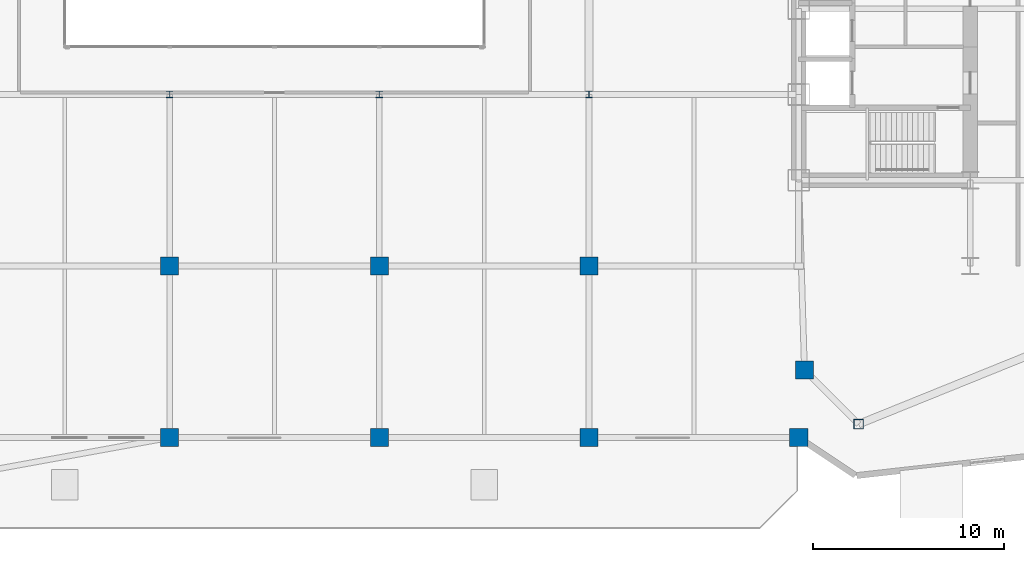
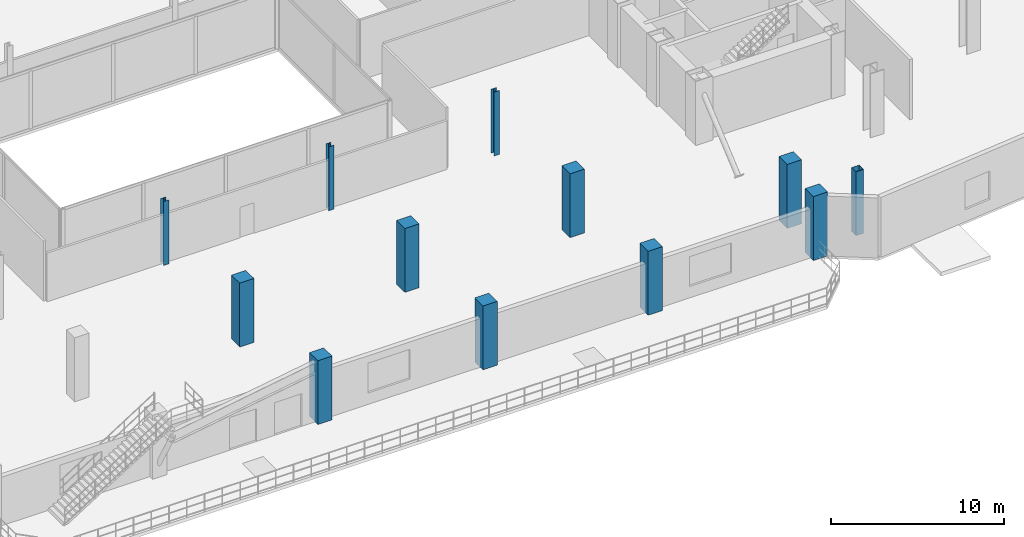
# One storey, part 5 of 25: 12 columns.
"""IFC4 building model written with IfcOpenShell, lengths in metres."""

from ifc_helpers import new_model, si_unit, direction, frame, origin, origin_2d, place, context, subcontext, project, spatial, rectangle, hollow_rectangle, i_section, extrude, source, transform, mapped, material, material_profile, profile_set, type_object, type_shapes, element, save


model = new_model("IFC4")

# Units and contexts
model_context = context("Model", 3, precision=1e-05, world=origin(), true_north=direction((0.0, 1.0)))
body_context = subcontext(model_context, "Body", "Model", "MODEL_VIEW")
ifc_project = project(units=[si_unit("LENGTHUNIT", "METRE"), si_unit("AREAUNIT", "SQUARE_METRE"), si_unit("VOLUMEUNIT", "CUBIC_METRE"), si_unit("PLANEANGLEUNIT", "RADIAN"), si_unit("MASSUNIT", "GRAM", prefix="KILO")], contexts=[model_context])

# Site, building, storey
site_placement = place(None, origin())
site = spatial("IfcSite", under=ifc_project, at=site_placement, CompositionType="ELEMENT")
building_placement = place(site_placement, origin())
building = spatial("IfcBuilding", under=site, at=building_placement, Name="Seokmaru Belvedere", CompositionType="ELEMENT")
storey_placement = place(building_placement, frame((0.0, 0.0, 5.39990234375)))
storey = spatial("IfcBuildingStorey", under=building, at=storey_placement, Name="L01", CompositionType="ELEMENT", Elevation=5.39990234375)

# Columns
ifc_material_1 = material(Name="Concrete C50 (50 MPa)", Category="concrete")
ifc_material_profile_1 = material_profile(ifc_material_1, rectangle(XDim=0.949951171875, YDim=0.949951171875, at=origin_2d()), Name="RC-950x950")
ifc_profile_set_1 = profile_set([ifc_material_profile_1], Name="Concrete C50 (50 MPa)")
column_type_1 = type_object("IfcColumnType", Name="Podium Substructure Column RC-950", PredefinedType="COLUMN", material=ifc_profile_set_1)
shared_shape_1 = source(origin(), body_context, "Body", "SweptSolid", [
    extrude(rectangle(XDim=0.949951171875, YDim=0.949951171875, at=origin_2d()), origin(), (0.0, 0.0, 1.0), 4.5),
])
type_shapes(column_type_1, [shared_shape_1])
for number, where, z_axis, x_axis, name in (
    (1, (27.5, -27.0, 0.0), (0.0, 0.0, 1.0), (1.0, 0.0, 0.0), "L01 Column EPS1"),
    (2, (27.800048828125, -23.451416015625, 0.0), (0.0, 0.0, 1.0), (1.0, 0.0, 0.0), "L01 Column EPM_S"),
    (3, (-5.5, -27.0, 0.0), (0.0, 0.0, 1.0), (1.0, 0.0, 0.0), "L01 Column CP2_1"),
    (4, (-5.5, -18.0, 0.0), (0.0, 0.0, 1.0), (1.0, 0.0, 0.0), "L01 Column CP2_2"),
    (5, (5.5, -27.0, 0.0), (0.0, 0.0, 1.0), (1.0, 0.0, 0.0), "L01 Column CP3_1"),
    (6, (5.5, -18.0, 0.0), (0.0, 0.0, 1.0), (1.0, 0.0, 0.0), "L01 Column CP3_2"),
    (7, (16.5, -27.0, 0.0), (0.0, 0.0, 1.0), (1.0, 0.0, 0.0), "L01 Column CP4_1"),
    (8, (16.5, -18.0, 0.0), (0.0, 0.0, 1.0), (1.0, 0.0, 0.0), "L01 Column CP4_2"),
):
    element("IfcColumn", number, at=place(storey_placement, frame(where, z_axis=z_axis, x_axis=x_axis)), inside=storey, type_object=column_type_1, Name=name, PredefinedType="COLUMN", context=body_context, shape_type="MappedRepresentation", body=[
        mapped(shared_shape_1, transform((0.0, 0.0, 0.0), scale=1.0)),
    ])
ifc_material_2 = material(Name="Steel SM355 (355 MPa)", Category="steel")
ifc_material_profile_2 = material_profile(ifc_material_2, hollow_rectangle(XDim=0.5, YDim=0.5, WallThickness=0.02001953125, at=origin_2d()), Name="HSS-500x500x20")
ifc_profile_set_2 = profile_set([ifc_material_profile_2], Name="Steel SM355 (355 MPa)")
column_type_2 = type_object("IfcColumnType", Name="Perimeter Facet Column HSS-500", PredefinedType="COLUMN", material=ifc_profile_set_2)
shared_shape_2 = source(origin(), body_context, "Body", "SweptSolid", [
    extrude(hollow_rectangle(XDim=0.5, YDim=0.5, WallThickness=0.02001953125, at=origin_2d()), origin(), (0.0, 0.0, 1.0), 4.5),
])
type_shapes(column_type_2, [shared_shape_2])
column_placement = place(storey_placement, frame((30.643310546875, -26.294677734375, 0.0), z_axis=(0.0, 0.0, 1.0), x_axis=(1.0, 0.0, 0.0)))
element("IfcColumn", 9, at=column_placement, inside=storey, type_object=column_type_2, Name="L01 Column EF1", PredefinedType="COLUMN", context=body_context, shape_type="MappedRepresentation", body=[
    mapped(shared_shape_2, transform((0.0, 0.0, 0.0), scale=1.0)),
])
ifc_material_profile_3 = material_profile(ifc_material_2, i_section(OverallWidth=0.35009765625, OverallDepth=0.35009765625, WebThickness=0.011962890625, FlangeThickness=0.01904296875, at=origin_2d()), Name="H-350x350x12x19")
ifc_profile_set_3 = profile_set([ifc_material_profile_3], Name="Steel SM355 (355 MPa)")
column_type_3 = type_object("IfcColumnType", Name="Podium Gallery Column H-350", PredefinedType="COLUMN", material=ifc_profile_set_3)
shared_shape_3 = source(origin(), body_context, "Body", "SweptSolid", [
    extrude(i_section(OverallWidth=0.35009765625, OverallDepth=0.35009765625, WebThickness=0.011962890625, FlangeThickness=0.01904296875, at=origin_2d()), origin(), (0.0, 0.0, 1.0), 4.5),
])
type_shapes(column_type_3, [shared_shape_3])
for number, where, z_axis, x_axis, name in (
    (10, (-5.5, -9.0, 0.0), (0.0, 0.0, 1.0), (1.0, 0.0, 0.0), "L01 Column CP2_3"),
    (11, (5.5, -9.0, 0.0), (0.0, 0.0, 1.0), (1.0, 0.0, 0.0), "L01 Column CP3_3"),
    (12, (16.5, -9.0, 0.0), (0.0, 0.0, 1.0), (1.0, 0.0, 0.0), "L01 Column CP4_3"),
):
    element("IfcColumn", number, at=place(storey_placement, frame(where, z_axis=z_axis, x_axis=x_axis)), inside=storey, type_object=column_type_3, Name=name, PredefinedType="COLUMN", context=body_context, shape_type="MappedRepresentation", body=[
        mapped(shared_shape_3, transform((0.0, 0.0, 0.0), scale=1.0)),
    ])

save(model, "model.ifc")
